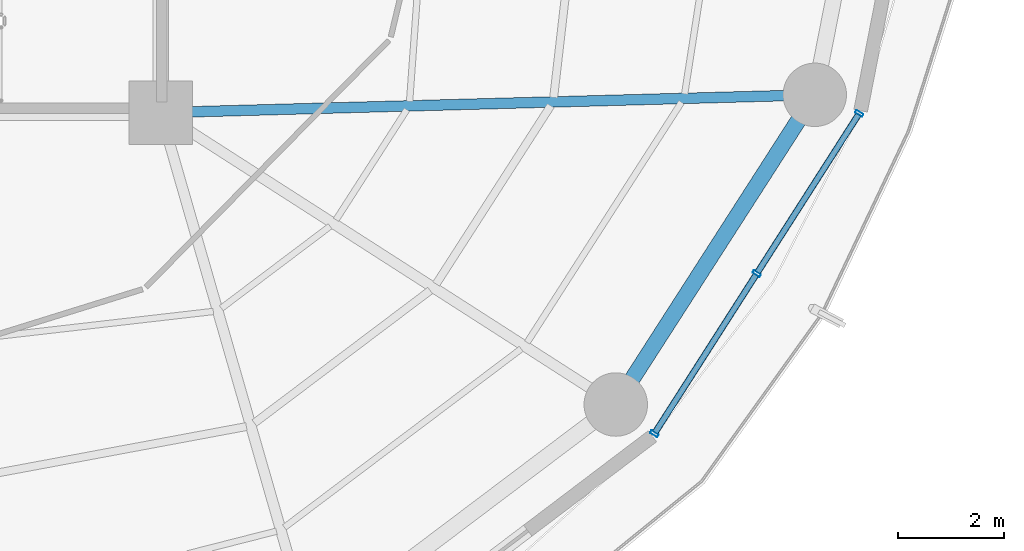
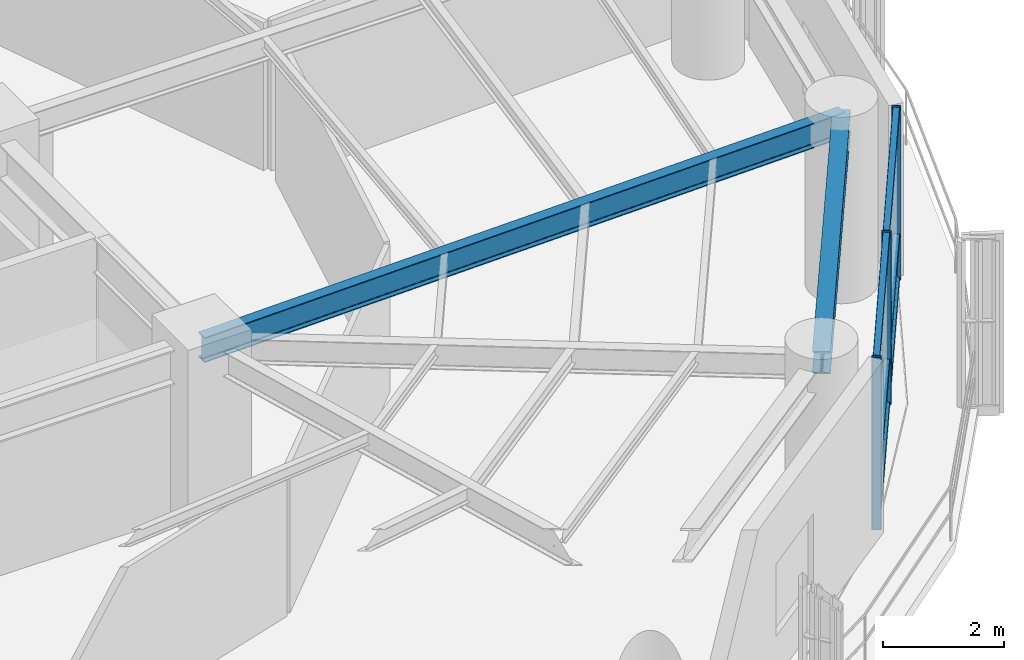
# One storey, part 11 of 28: 9 members, 2 beams, 1 element without a shape of its own.
"""IFC4 building model written with IfcOpenShell, lengths in metres."""

from ifc_helpers import new_model, si_unit, direction, frame, origin, origin_2d, place, context, subcontext, project, spatial, hollow_rectangle, i_section, extrude, material, layer, layer_set, material_profile, profile_set, type_object, element, aggregate, save


model = new_model("IFC4")

# Units and contexts
model_context = context("Model", 3, precision=1e-05, world=origin(), true_north=direction((0.0, 1.0)))
body_context = subcontext(model_context, "Body", "Model", "MODEL_VIEW")
ifc_project = project(units=[si_unit("LENGTHUNIT", "METRE"), si_unit("AREAUNIT", "SQUARE_METRE"), si_unit("VOLUMEUNIT", "CUBIC_METRE"), si_unit("PLANEANGLEUNIT", "RADIAN"), si_unit("MASSUNIT", "GRAM", prefix="KILO")], contexts=[model_context])

# Site, building, storey
site_placement = place(None, origin())
site = spatial("IfcSite", under=ifc_project, at=site_placement, CompositionType="ELEMENT")
building_placement = place(site_placement, origin())
building = spatial("IfcBuilding", under=site, at=building_placement, Name="Kelanora Arch Commons", CompositionType="ELEMENT")
storey_placement = place(building_placement, frame((0.0, 0.0, 161.85009765625)))
storey = spatial("IfcBuildingStorey", under=building, at=storey_placement, Name="L41", CompositionType="ELEMENT", Elevation=161.85009765625)

# Beams
ifc_material_1 = material(Name="Steel S355", Category="steel")
ifc_material_profile_1 = material_profile(ifc_material_1, i_section(OverallWidth=0.199951171875, OverallDepth=0.5, WebThickness=0.01025390625, FlangeThickness=0.01611328125, FilletRadius=0.02099609375, at=origin_2d()), Name="IPE500")
ifc_profile_set_1 = profile_set([ifc_material_profile_1], Name="Steel S355")
beam_type_1 = type_object("IfcBeamType", Name="BM-RAD-Z3", PredefinedType="BEAM", material=ifc_profile_set_1)
beam_1_placement = place(storey_placement, frame((82.0, 51.0, 3.239990234375), z_axis=(0.999628374924, 0.027260081577, 0.0), x_axis=(-0.027260081577, 0.999628374924, 0.0)))
element("IfcBeam", 1, at=beam_1_placement, inside=storey, type_object=beam_type_1, Name="Radial Floor Girder BR-34 L41", PredefinedType="BEAM", context=body_context, shape_type="SweptSolid", body=[
    extrude(i_section(OverallWidth=0.199951171875, OverallDepth=0.5, WebThickness=0.01025390625, FlangeThickness=0.01611328125, FilletRadius=0.02099609375, at=origin_2d()), origin(), (0.0, 0.0, 1.0), 12.377197265625),
])
ifc_material_profile_2 = material_profile(ifc_material_1, i_section(OverallWidth=0.300048828125, OverallDepth=0.449951171875, WebThickness=0.013916015625, FlangeThickness=0.02587890625, FilletRadius=0.027099609375, at=origin_2d()), Name="HEB450")
ifc_profile_set_2 = profile_set([ifc_material_profile_2], Name="Steel S355")
beam_type_2 = type_object("IfcBeamType", Name="BM-SPN-Z3", PredefinedType="SPANDREL", material=ifc_profile_set_2)
beam_2_placement = place(storey_placement, frame((90.60791015625, 45.478515625, 3.264892578125), z_axis=(0.540576852469, 0.841294637196, 0.0), x_axis=(-0.841294637196, 0.540576852469, 0.0)))
element("IfcBeam", 2, at=beam_2_placement, inside=storey, type_object=beam_type_2, Name="Perimeter Spandrel Beam BS-32 L41", PredefinedType="SPANDREL", context=body_context, shape_type="SweptSolid", body=[
    extrude(i_section(OverallWidth=0.300048828125, OverallDepth=0.449951171875, WebThickness=0.013916015625, FlangeThickness=0.02587890625, FilletRadius=0.027099609375, at=origin_2d()), origin(), (0.0, 0.0, 1.0), 6.964111328125),
])

# Curtain wall, members
ifc_material_2 = material(Name="Terracotta ceramic-fritted low-E glass and aluminium", Category="masonry")
ifc_layer = layer(ifc_material_2, 0.175048828125)
ifc_layer_set = layer_set([ifc_layer], Name="Terracotta ceramic-fritted low-E glass and aluminium")
curtain_wall_type = type_object("IfcCurtainWallType", Name="CW-SYS-02", PredefinedType="NOTDEFINED", material=ifc_layer_set)
curtain_wall_placement = place(storey_placement, origin())
curtain_wall = element("IfcCurtainWall", 3, at=curtain_wall_placement, inside=storey, type_object=curtain_wall_type, Name="Unitised Curtain Wall L41-B16", PredefinedType="NOTDEFINED")
ifc_material_3 = material(Name="Powder-coated aluminium terracotta", Category="masonry")
ifc_material_profile_3 = material_profile(ifc_material_3, hollow_rectangle(XDim=0.159912109375, YDim=0.06005859375, WallThickness=0.0048828125, InnerFilletRadius=0.0048828125, OuterFilletRadius=0.010009765625, at=origin_2d()), Name="CWM160x60")
ifc_profile_set_3 = profile_set([ifc_material_profile_3], Name="Powder-coated aluminium terracotta")
member_type_1 = type_object("IfcMemberType", Name="CWM-STD", PredefinedType="MULLION", material=ifc_profile_set_3)
member_1_placement = place(storey_placement, frame((91.3369140625, 44.925048828125, 0.0), z_axis=(0.0, 0.0, 1.0), x_axis=(-0.842422846546, 0.538816988983, 0.0)))
member_1 = element("IfcMember", 4, at=member_1_placement, type_object=member_type_1, Name="CW-02 mullion 1", PredefinedType="MULLION", context=body_context, shape_type="SweptSolid", body=[
    extrude(hollow_rectangle(XDim=0.159912109375, YDim=0.06005859375, WallThickness=0.0048828125, InnerFilletRadius=0.0048828125, OuterFilletRadius=0.010009765625, at=origin_2d()), origin(), (0.0, 0.0, 1.0), 3.474853515625),
])
member_2_placement = place(storey_placement, frame((93.27490234375, 47.954833984375, 0.0), z_axis=(0.0, 0.0, 1.0), x_axis=(-0.842422846546, 0.538816988983, 0.0)))
member_2 = element("IfcMember", 5, at=member_2_placement, type_object=member_type_1, Name="CW-02 mullion 2", PredefinedType="MULLION", context=body_context, shape_type="SweptSolid", body=[
    extrude(hollow_rectangle(XDim=0.159912109375, YDim=0.06005859375, WallThickness=0.0048828125, InnerFilletRadius=0.0048828125, OuterFilletRadius=0.010009765625, at=origin_2d()), origin(), (0.0, 0.0, 1.0), 3.474853515625),
])
member_3_placement = place(storey_placement, frame((95.212890625, 50.98486328125, 0.0), z_axis=(0.0, 0.0, 1.0), x_axis=(-0.842422846546, 0.538816988983, 0.0)))
member_3 = element("IfcMember", 6, at=member_3_placement, type_object=member_type_1, Name="CW-02 mullion 3", PredefinedType="MULLION", context=body_context, shape_type="SweptSolid", body=[
    extrude(hollow_rectangle(XDim=0.159912109375, YDim=0.06005859375, WallThickness=0.0048828125, InnerFilletRadius=0.0048828125, OuterFilletRadius=0.010009765625, at=origin_2d()), origin(), (0.0, 0.0, 1.0), 3.474853515625),
])
ifc_material_profile_4 = material_profile(ifc_material_3, hollow_rectangle(XDim=0.1201171875, YDim=0.06005859375, WallThickness=0.0048828125, InnerFilletRadius=0.0048828125, OuterFilletRadius=0.010009765625, at=origin_2d()), Name="CWT120x60")
ifc_profile_set_4 = profile_set([ifc_material_profile_4], Name="Powder-coated aluminium terracotta")
member_type_2 = type_object("IfcMemberType", Name="CWT-STD", PredefinedType="USERDEFINED", material=ifc_profile_set_4)
member_4_placement = place(storey_placement, frame((91.35302734375, 44.9501953125, 0.02978515625), z_axis=(0.53883037555, 0.842414284295, 0.0), x_axis=(-0.842414284295, 0.53883037555, 0.0)))
member_4 = element("IfcMember", 7, at=member_4_placement, type_object=member_type_2, Name="CW-02 transom 1.1", ObjectType="TRANSOM", PredefinedType="USERDEFINED", context=body_context, shape_type="SweptSolid", body=[
    extrude(hollow_rectangle(XDim=0.1201171875, YDim=0.06005859375, WallThickness=0.0048828125, InnerFilletRadius=0.0048828125, OuterFilletRadius=0.010009765625, at=origin_2d()), origin(), (0.0, 0.0, 1.0), 3.536865234375),
])
member_5_placement = place(storey_placement, frame((91.35302734375, 44.9501953125, 0.89990234375), z_axis=(0.53883037555, 0.842414284295, 0.0), x_axis=(-0.842414284295, 0.53883037555, 0.0)))
member_5 = element("IfcMember", 8, at=member_5_placement, type_object=member_type_2, Name="CW-02 transom 1.2", ObjectType="TRANSOM", PredefinedType="USERDEFINED", context=body_context, shape_type="SweptSolid", body=[
    extrude(hollow_rectangle(XDim=0.1201171875, YDim=0.06005859375, WallThickness=0.0048828125, InnerFilletRadius=0.0048828125, OuterFilletRadius=0.010009765625, at=origin_2d()), origin(), (0.0, 0.0, 1.0), 3.536865234375),
])
member_6_placement = place(storey_placement, frame((91.35302734375, 44.9501953125, 3.44482421875), z_axis=(0.53883037555, 0.842414284295, 0.0), x_axis=(-0.842414284295, 0.53883037555, 0.0)))
member_6 = element("IfcMember", 9, at=member_6_placement, type_object=member_type_2, Name="CW-02 transom 1.3", ObjectType="TRANSOM", PredefinedType="USERDEFINED", context=body_context, shape_type="SweptSolid", body=[
    extrude(hollow_rectangle(XDim=0.1201171875, YDim=0.06005859375, WallThickness=0.0048828125, InnerFilletRadius=0.0048828125, OuterFilletRadius=0.010009765625, at=origin_2d()), origin(), (0.0, 0.0, 1.0), 3.536865234375),
])
member_7_placement = place(storey_placement, frame((93.291015625, 47.980224609375, 0.02978515625), z_axis=(0.53883037555, 0.842414284295, 0.0), x_axis=(-0.842414284295, 0.53883037555, 0.0)))
member_7 = element("IfcMember", 10, at=member_7_placement, type_object=member_type_2, Name="CW-02 transom 2.1", ObjectType="TRANSOM", PredefinedType="USERDEFINED", context=body_context, shape_type="SweptSolid", body=[
    extrude(hollow_rectangle(XDim=0.1201171875, YDim=0.06005859375, WallThickness=0.0048828125, InnerFilletRadius=0.0048828125, OuterFilletRadius=0.010009765625, at=origin_2d()), origin(), (0.0, 0.0, 1.0), 3.536865234375),
])
member_8_placement = place(storey_placement, frame((93.291015625, 47.980224609375, 0.89990234375), z_axis=(0.53883037555, 0.842414284295, 0.0), x_axis=(-0.842414284295, 0.53883037555, 0.0)))
member_8 = element("IfcMember", 11, at=member_8_placement, type_object=member_type_2, Name="CW-02 transom 2.2", ObjectType="TRANSOM", PredefinedType="USERDEFINED", context=body_context, shape_type="SweptSolid", body=[
    extrude(hollow_rectangle(XDim=0.1201171875, YDim=0.06005859375, WallThickness=0.0048828125, InnerFilletRadius=0.0048828125, OuterFilletRadius=0.010009765625, at=origin_2d()), origin(), (0.0, 0.0, 1.0), 3.536865234375),
])
member_9_placement = place(storey_placement, frame((93.291015625, 47.980224609375, 3.44482421875), z_axis=(0.53883037555, 0.842414284295, 0.0), x_axis=(-0.842414284295, 0.53883037555, 0.0)))
member_9 = element("IfcMember", 12, at=member_9_placement, type_object=member_type_2, Name="CW-02 transom 2.3", ObjectType="TRANSOM", PredefinedType="USERDEFINED", context=body_context, shape_type="SweptSolid", body=[
    extrude(hollow_rectangle(XDim=0.1201171875, YDim=0.06005859375, WallThickness=0.0048828125, InnerFilletRadius=0.0048828125, OuterFilletRadius=0.010009765625, at=origin_2d()), origin(), (0.0, 0.0, 1.0), 3.536865234375),
])
aggregate(curtain_wall, [member_1, member_2, member_3, member_4, member_5, member_6, member_7, member_8, member_9])

save(model, "model.ifc")
